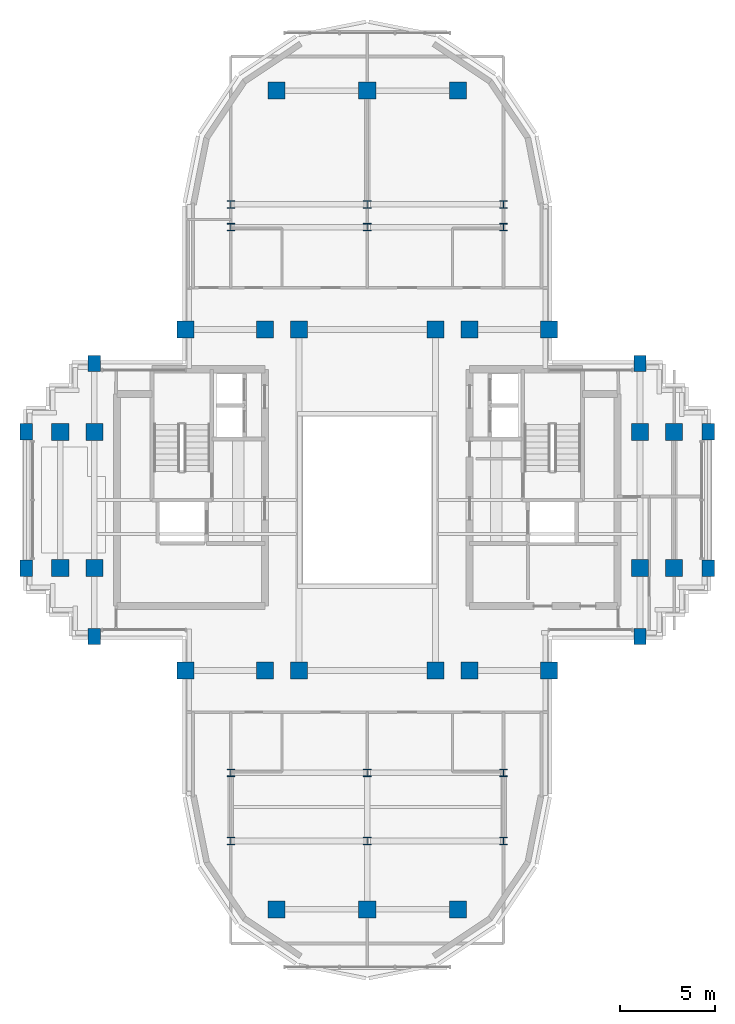
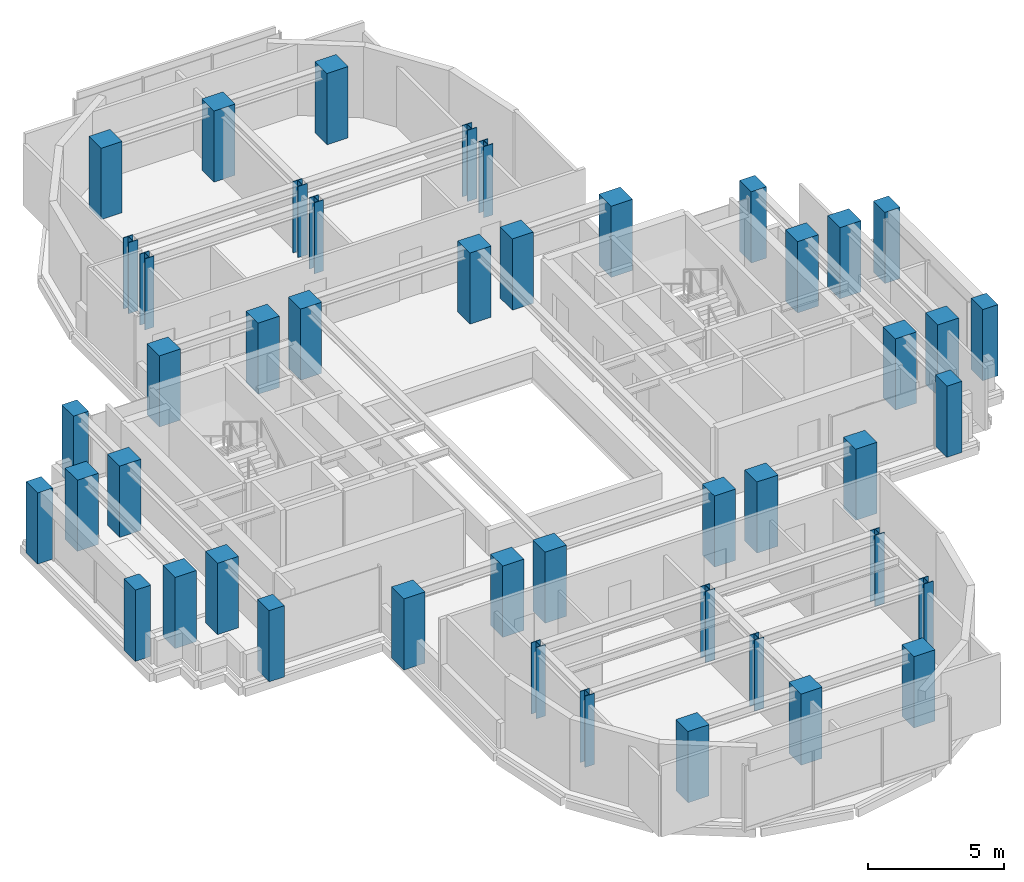
# One storey, part 1 of 11: 46 columns.
"""IFC4 building model written with IfcOpenShell, lengths in metres."""

from ifc_helpers import new_model, si_unit, direction, frame, origin, origin_2d, place, context, subcontext, project, spatial, rectangle, i_section, extrude, source, transform, mapped, material, material_profile, profile_set, type_object, element, save


model = new_model("IFC4")

# Units and contexts
model_context = context("Model", 3, precision=1e-05, world=origin(), true_north=direction((0.0, 1.0)))
body_context = subcontext(model_context, "Body", "Model", "MODEL_VIEW")
ifc_project = project(units=[si_unit("LENGTHUNIT", "METRE"), si_unit("AREAUNIT", "SQUARE_METRE"), si_unit("VOLUMEUNIT", "CUBIC_METRE"), si_unit("PLANEANGLEUNIT", "RADIAN"), si_unit("MASSUNIT", "GRAM", prefix="KILO")], contexts=[model_context])

# Site, building, storey
site_placement = place(None, origin())
site = spatial("IfcSite", under=ifc_project, at=site_placement, CompositionType="ELEMENT")
building_placement = place(site_placement, origin())
building = spatial("IfcBuilding", under=site, at=building_placement, Name="Keilestroom Media Tower", CompositionType="ELEMENT")
storey_placement = place(building_placement, frame((0.0, 0.0, 194.39990234375)))
storey = spatial("IfcBuildingStorey", under=building, at=storey_placement, Name="L53", CompositionType="ELEMENT", Elevation=194.39990234375)

# Columns
ifc_material_1 = material(Name="Precast concrete C40/50", Category="concrete")
ifc_material_profile_1 = material_profile(ifc_material_1, rectangle(XDim=0.64990234375, YDim=0.85009765625, at=origin_2d()), Name="PC 850x650")
ifc_profile_set_1 = profile_set([ifc_material_profile_1], Name="Precast concrete C40/50")
column_type_1 = type_object("IfcColumnType", Name="Structural-Column-PC-850x650", PredefinedType="COLUMN", material=ifc_profile_set_1)
shared_shape_1 = source(origin(), body_context, "Body", "SweptSolid", [
    extrude(rectangle(XDim=0.64990234375, YDim=0.85009765625, at=origin_2d()), origin(), (0.0, 0.0, 1.0), 3.2001953125),
])
for number, where, z_axis, x_axis, name in (
    (1, (-18.0, -3.60009765625, 0.0), (0.0, 0.0, 1.0), (1.0, 0.0, 0.0), "L53 Column PC-2 (-18.0,-3.6)"),
    (2, (-18.0, 3.60009765625, 0.0), (0.0, 0.0, 1.0), (1.0, 0.0, 0.0), "L53 Column PC-2 (-18.0,+3.6)"),
    (3, (-14.39990234375, -7.199951171875, 0.0), (0.0, 0.0, 1.0), (1.0, 0.0, 0.0), "L53 Column PC-2 (-14.4,-7.2)"),
    (4, (-14.39990234375, 7.199951171875, 0.0), (0.0, 0.0, 1.0), (1.0, 0.0, 0.0), "L53 Column PC-2 (-14.4,+7.2)"),
    (5, (14.39990234375, -7.199951171875, 0.0), (0.0, 0.0, 1.0), (1.0, 0.0, 0.0), "L53 Column PC-2 (+14.4,-7.2)"),
    (6, (14.39990234375, 7.199951171875, 0.0), (0.0, 0.0, 1.0), (1.0, 0.0, 0.0), "L53 Column PC-2 (+14.4,+7.2)"),
    (7, (18.0, -3.60009765625, 0.0), (0.0, 0.0, 1.0), (1.0, 0.0, 0.0), "L53 Column PC-2 (+18.0,-3.6)"),
    (8, (18.0, 3.60009765625, 0.0), (0.0, 0.0, 1.0), (1.0, 0.0, 0.0), "L53 Column PC-2 (+18.0,+3.6)"),
):
    element("IfcColumn", number, at=place(storey_placement, frame(where, z_axis=z_axis, x_axis=x_axis)), inside=storey, type_object=column_type_1, Name=name, PredefinedType="COLUMN", context=body_context, shape_type="MappedRepresentation", body=[
        mapped(shared_shape_1, transform((0.0, 0.0, 0.0), x_axis=(1.0, 0.0, 0.0), y_axis=(0.0, 1.0, 0.0), z_axis=(0.0, 0.0, 1.0), scale=1.0)),
    ])
ifc_material_2 = material(Name="Concrete C55/67", Category="concrete")
ifc_material_profile_2 = material_profile(ifc_material_2, rectangle(XDim=0.89990234375, YDim=0.89990234375, at=origin_2d()), Name="RC 900x900")
ifc_profile_set_2 = profile_set([ifc_material_profile_2], Name="Concrete C55/67")
column_type_2 = type_object("IfcColumnType", Name="Structural-Column-RC-900x900", PredefinedType="COLUMN", material=ifc_profile_set_2)
shared_shape_2 = source(origin(), body_context, "Body", "SweptSolid", [
    extrude(rectangle(XDim=0.89990234375, YDim=0.89990234375, at=origin_2d()), origin(), (0.0, 0.0, 1.0), 3.2001953125),
])
for number, where, z_axis, x_axis, name in (
    (9, (-16.199951171875, -3.60009765625, 0.0), (0.0, 0.0, 1.0), (1.0, 0.0, 0.0), "L53 Column MC-4 (-16.2,-3.6)"),
    (10, (-16.199951171875, 3.60009765625, 0.0), (0.0, 0.0, 1.0), (1.0, 0.0, 0.0), "L53 Column MC-4 (-16.2,+3.6)"),
    (11, (-14.39990234375, -3.60009765625, 0.0), (0.0, 0.0, 1.0), (1.0, 0.0, 0.0), "L53 Column MC-4 (-14.4,-3.6)"),
    (12, (-14.39990234375, 3.60009765625, 0.0), (0.0, 0.0, 1.0), (1.0, 0.0, 0.0), "L53 Column MC-4 (-14.4,+3.6)"),
    (13, (-9.60009765625, -9.0, 0.0), (0.0, 0.0, 1.0), (1.0, 0.0, 0.0), "L53 Column MC-4 (-9.6,-9.0)"),
    (14, (-9.60009765625, 9.0, 0.0), (0.0, 0.0, 1.0), (1.0, 0.0, 0.0), "L53 Column MC-4 (-9.6,+9.0)"),
    (15, (-5.39990234375, -9.0, 0.0), (0.0, 0.0, 1.0), (1.0, 0.0, 0.0), "L53 Column MC-4 (-5.4,-9.0)"),
    (16, (-5.39990234375, 9.0, 0.0), (0.0, 0.0, 1.0), (1.0, 0.0, 0.0), "L53 Column MC-4 (-5.4,+9.0)"),
    (17, (-4.800048828125, -21.60009765625, 0.0), (0.0, 0.0, 1.0), (1.0, 0.0, 0.0), "L53 Column MC-4 (-4.8,-21.6)"),
    (18, (-4.800048828125, 21.60009765625, 0.0), (0.0, 0.0, 1.0), (1.0, 0.0, 0.0), "L53 Column MC-4 (-4.8,+21.6)"),
    (19, (-3.60009765625, -9.0, 0.0), (0.0, 0.0, 1.0), (1.0, 0.0, 0.0), "L53 Column MC-4 (-3.6,-9.0)"),
    (20, (-3.60009765625, 9.0, 0.0), (0.0, 0.0, 1.0), (1.0, 0.0, 0.0), "L53 Column MC-4 (-3.6,+9.0)"),
    (21, (0.0, -21.60009765625, 0.0), (0.0, 0.0, 1.0), (1.0, 0.0, 0.0), "L53 Column MC-4 (+0.0,-21.6)"),
    (22, (0.0, 21.60009765625, 0.0), (0.0, 0.0, 1.0), (1.0, 0.0, 0.0), "L53 Column MC-4 (+0.0,+21.6)"),
    (23, (3.60009765625, -9.0, 0.0), (0.0, 0.0, 1.0), (1.0, 0.0, 0.0), "L53 Column MC-4 (+3.6,-9.0)"),
    (24, (3.60009765625, 9.0, 0.0), (0.0, 0.0, 1.0), (1.0, 0.0, 0.0), "L53 Column MC-4 (+3.6,+9.0)"),
    (25, (4.800048828125, -21.60009765625, 0.0), (0.0, 0.0, 1.0), (1.0, 0.0, 0.0), "L53 Column MC-4 (+4.8,-21.6)"),
    (26, (4.800048828125, 21.60009765625, 0.0), (0.0, 0.0, 1.0), (1.0, 0.0, 0.0), "L53 Column MC-4 (+4.8,+21.6)"),
    (27, (5.39990234375, -9.0, 0.0), (0.0, 0.0, 1.0), (1.0, 0.0, 0.0), "L53 Column MC-4 (+5.4,-9.0)"),
    (28, (5.39990234375, 9.0, 0.0), (0.0, 0.0, 1.0), (1.0, 0.0, 0.0), "L53 Column MC-4 (+5.4,+9.0)"),
    (29, (9.60009765625, -9.0, 0.0), (0.0, 0.0, 1.0), (1.0, 0.0, 0.0), "L53 Column MC-4 (+9.6,-9.0)"),
    (30, (9.60009765625, 9.0, 0.0), (0.0, 0.0, 1.0), (1.0, 0.0, 0.0), "L53 Column MC-4 (+9.6,+9.0)"),
    (31, (14.39990234375, -3.60009765625, 0.0), (0.0, 0.0, 1.0), (1.0, 0.0, 0.0), "L53 Column MC-4 (+14.4,-3.6)"),
    (32, (14.39990234375, 3.60009765625, 0.0), (0.0, 0.0, 1.0), (1.0, 0.0, 0.0), "L53 Column MC-4 (+14.4,+3.6)"),
    (33, (16.199951171875, -3.60009765625, 0.0), (0.0, 0.0, 1.0), (1.0, 0.0, 0.0), "L53 Column MC-4 (+16.2,-3.6)"),
    (34, (16.199951171875, 3.60009765625, 0.0), (0.0, 0.0, 1.0), (1.0, 0.0, 0.0), "L53 Column MC-4 (+16.2,+3.6)"),
):
    element("IfcColumn", number, at=place(storey_placement, frame(where, z_axis=z_axis, x_axis=x_axis)), inside=storey, type_object=column_type_2, Name=name, PredefinedType="COLUMN", context=body_context, shape_type="MappedRepresentation", body=[
        mapped(shared_shape_2, transform((0.0, 0.0, 0.0), x_axis=(1.0, 0.0, 0.0), y_axis=(0.0, 1.0, 0.0), z_axis=(0.0, 0.0, 1.0), scale=1.0)),
    ])
ifc_material_3 = material(Name="Steel S355", Category="steel")
ifc_material_profile_3 = material_profile(ifc_material_3, i_section(OverallWidth=0.39794921875, OverallDepth=0.386962890625, WebThickness=0.017578125, FlangeThickness=0.028076171875, at=origin_2d()), Name="HD 400x262")
ifc_profile_set_3 = profile_set([ifc_material_profile_3], Name="Steel S355")
column_type_3 = type_object("IfcColumnType", Name="Structural-Column-HD-400x262", PredefinedType="COLUMN", material=ifc_profile_set_3)
shared_shape_3 = source(origin(), body_context, "Body", "SweptSolid", [
    extrude(i_section(OverallWidth=0.39794921875, OverallDepth=0.386962890625, WebThickness=0.017578125, FlangeThickness=0.028076171875, at=origin_2d()), origin(), (0.0, 0.0, 1.0), 3.2001953125),
])
for number, where, z_axis, x_axis, name in (
    (35, (-7.199951171875, -18.0, 0.0), (0.0, 0.0, 1.0), (1.0, 0.0, 0.0), "L53 Column SC-4 (-7.2,-18.0)"),
    (36, (-7.199951171875, -14.39990234375, 0.0), (0.0, 0.0, 1.0), (1.0, 0.0, 0.0), "L53 Column SC-4 (-7.2,-14.4)"),
    (37, (-7.199951171875, 14.39990234375, 0.0), (0.0, 0.0, 1.0), (1.0, 0.0, 0.0), "L53 Column SC-4 (-7.2,+14.4)"),
    (38, (-7.199951171875, 15.60009765625, 0.0), (0.0, 0.0, 1.0), (1.0, 0.0, 0.0), "L53 Column SC-4 (-7.2,+15.6)"),
    (39, (0.0, -18.0, 0.0), (0.0, 0.0, 1.0), (1.0, 0.0, 0.0), "L53 Column SC-4 (+0.0,-18.0)"),
    (40, (0.0, -14.39990234375, 0.0), (0.0, 0.0, 1.0), (1.0, 0.0, 0.0), "L53 Column SC-4 (+0.0,-14.4)"),
    (41, (0.0, 14.39990234375, 0.0), (0.0, 0.0, 1.0), (1.0, 0.0, 0.0), "L53 Column SC-4 (+0.0,+14.4)"),
    (42, (0.0, 15.60009765625, 0.0), (0.0, 0.0, 1.0), (1.0, 0.0, 0.0), "L53 Column SC-4 (+0.0,+15.6)"),
    (43, (7.199951171875, -18.0, 0.0), (0.0, 0.0, 1.0), (1.0, 0.0, 0.0), "L53 Column SC-4 (+7.2,-18.0)"),
    (44, (7.199951171875, -14.39990234375, 0.0), (0.0, 0.0, 1.0), (1.0, 0.0, 0.0), "L53 Column SC-4 (+7.2,-14.4)"),
    (45, (7.199951171875, 14.39990234375, 0.0), (0.0, 0.0, 1.0), (1.0, 0.0, 0.0), "L53 Column SC-4 (+7.2,+14.4)"),
    (46, (7.199951171875, 15.60009765625, 0.0), (0.0, 0.0, 1.0), (1.0, 0.0, 0.0), "L53 Column SC-4 (+7.2,+15.6)"),
):
    element("IfcColumn", number, at=place(storey_placement, frame(where, z_axis=z_axis, x_axis=x_axis)), inside=storey, type_object=column_type_3, Name=name, PredefinedType="COLUMN", context=body_context, shape_type="MappedRepresentation", body=[
        mapped(shared_shape_3, transform((0.0, 0.0, 0.0), x_axis=(1.0, 0.0, 0.0), y_axis=(0.0, 1.0, 0.0), z_axis=(0.0, 0.0, 1.0), scale=1.0)),
    ])

save(model, "model.ifc")
